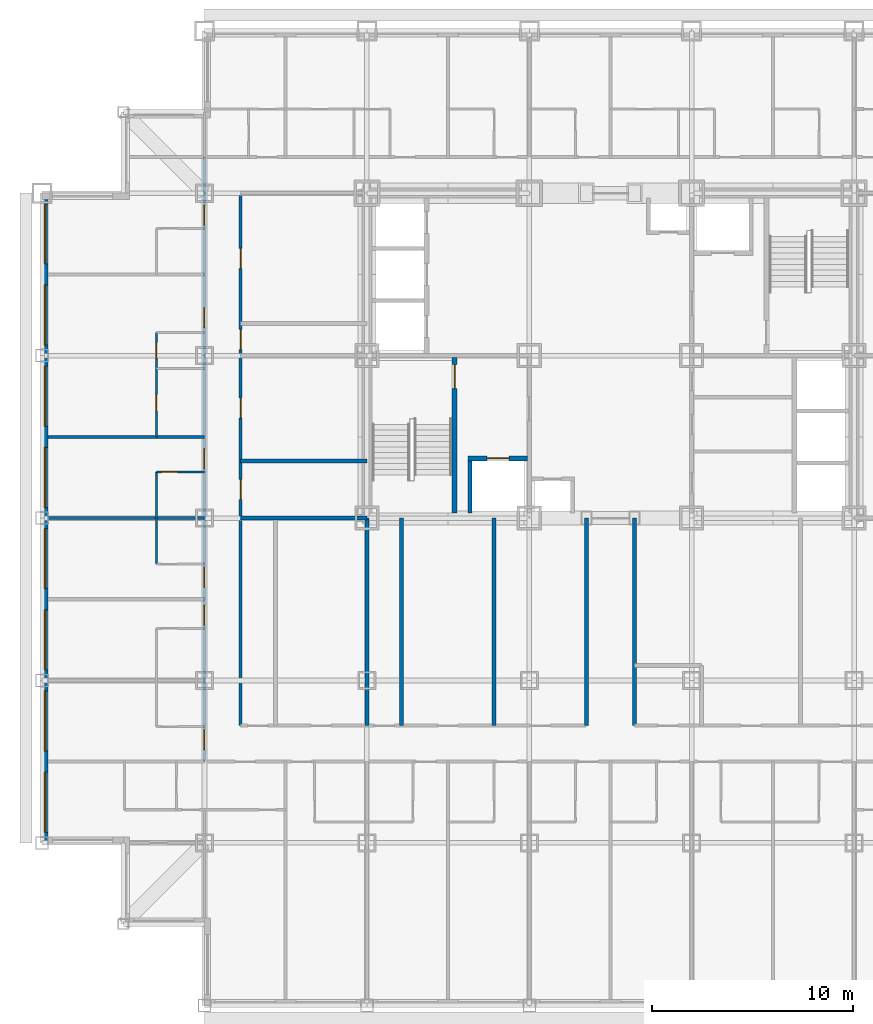
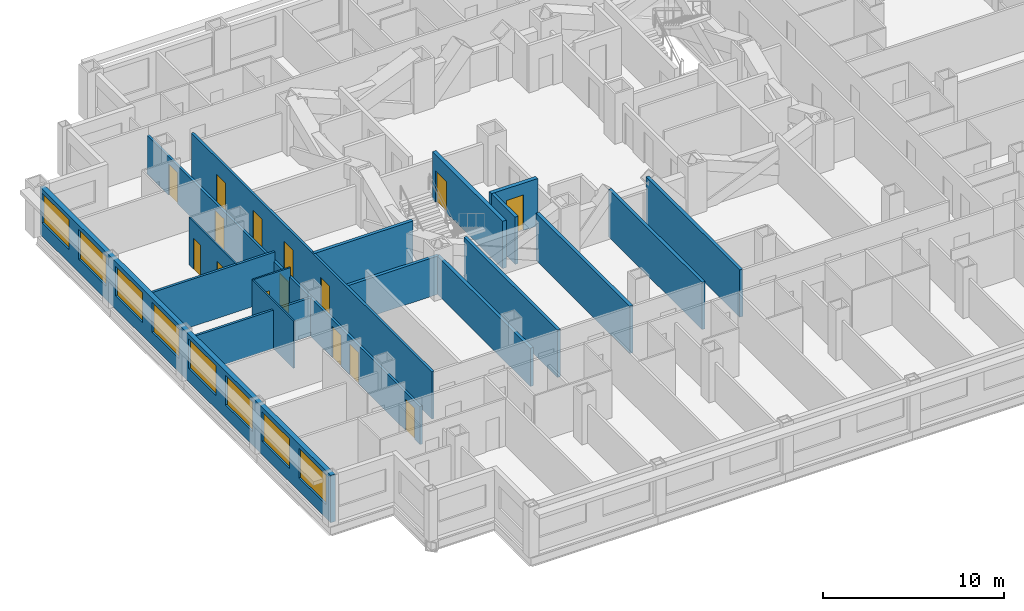
# One storey, part 5 of 12: 18 walls, 15 doors, 8 windows, 23 openings.
"""IFC4 building model written with IfcOpenShell, lengths in metres."""

from ifc_helpers import new_model, si_unit, direction, frame, frame_2d, origin, place, context, subcontext, project, spatial, rectangle, extrude, material, layer, layer_set, type_object, element, fill, save


model = new_model("IFC4")

# Units and contexts
model_context = context("Model", 3, precision=1e-05, world=origin(), true_north=direction((0.0, 1.0)))
body_context = subcontext(model_context, "Body", "Model", "MODEL_VIEW")
ifc_project = project(units=[si_unit("LENGTHUNIT", "METRE"), si_unit("AREAUNIT", "SQUARE_METRE"), si_unit("VOLUMEUNIT", "CUBIC_METRE"), si_unit("PLANEANGLEUNIT", "RADIAN"), si_unit("MASSUNIT", "GRAM", prefix="KILO")], contexts=[model_context])

# Site, building, storey
site_placement = place(None, origin())
site = spatial("IfcSite", under=ifc_project, at=site_placement, CompositionType="ELEMENT")
building_placement = place(site_placement, origin())
building = spatial("IfcBuilding", under=site, at=building_placement, Name="Kopane Lantern Tower", CompositionType="ELEMENT")
storey_placement = place(building_placement, frame((0.0, 0.0, 70.39990234375)))
storey = spatial("IfcBuildingStorey", under=building, at=storey_placement, Name="L17", CompositionType="ELEMENT", Elevation=70.39990234375)

# Wall
ifc_material_1 = material(Name="Moisture-resistant board on steel studs", Category="steel")
ifc_layer_1 = layer(ifc_material_1, 0.10009765625)
ifc_layer_set_1 = layer_set([ifc_layer_1], Name="BATHROOM WALL 100")
wall_type_1 = type_object("IfcWallType", Name="BATHROOM WALL 100", PredefinedType="PARTITIONING", material=ifc_layer_set_1)
wall_1_placement = place(storey_placement, frame((5.699951171875, 22.0, 0.0), z_axis=(0.0, 0.0, 1.0), x_axis=(0.0, 1.0, 0.0)))
element("IfcWall", 1, at=wall_1_placement, inside=storey, type_object=wall_type_1, Name="Bathroom Wall 100 L17", PredefinedType="PARTITIONING", context=body_context, shape_type="SweptSolid", body=[
    extrude(rectangle(XDim=4.60009765625, YDim=0.10009765625, at=frame_2d((2.300048828125, 0.0))), origin(), (0.0, 0.0, 1.0), 3.190185546875),
])

# Wall, opening, door
wall_2_placement = place(storey_placement, frame((8.10009765625, 26.60009765625, 0.0), z_axis=(0.0, 0.0, 1.0), x_axis=(-1.0, 0.0, 0.0)))
wall_2 = element("IfcWall", 2, at=wall_2_placement, inside=storey, type_object=wall_type_1, Name="Bathroom Wall 100 L17", PredefinedType="PARTITIONING", context=body_context, shape_type="SweptSolid", body=[
    extrude(rectangle(XDim=2.400146484375, YDim=0.10009765625, at=frame_2d((1.2001953125, 0.0))), origin(), (0.0, 0.0, 1.0), 3.190185546875),
])
opening_1_placement = place(wall_2_placement, frame((1.35009765625, 0.0, 0.0)))
opening_1 = element("IfcOpeningElement", 3, at=opening_1_placement, cuts=wall_2, Name="Opening L17-047", PredefinedType="OPENING", context=body_context, shape_type="SweptSolid", body=[
    extrude(rectangle(XDim=0.800048828125, YDim=2.10009765625, at=frame_2d((0.39990234375, 1.050048828125))), frame((0.0, 0.06005859375, 0.0), z_axis=(0.0, -1.0, 0.0), x_axis=(1.0, 0.0, 0.0)), (0.0, 0.0, 1.0), 0.1201171875),
])
ifc_material_2 = material(Name="Timber door set", Category="wood")
door_type_1 = type_object("IfcDoorType", Name="DOOR D2 800x2100", OperationType="SINGLE_SWING_LEFT", PredefinedType="DOOR", material=ifc_material_2)
door_1_placement = place(opening_1_placement, origin())
door_1 = element("IfcDoor", 4, at=door_1_placement, inside=storey, type_object=door_type_1, Name="Door L17-047", OperationType="SINGLE_SWING_RIGHT", OverallHeight=2.10009765625, OverallWidth=0.800048828125, PredefinedType="DOOR", context=body_context, shape_type="SweptSolid", body=[
    extrude(rectangle(XDim=0.800048828125, YDim=2.10009765625, at=frame_2d((0.39990234375, 1.050048828125))), frame((0.0, 0.02490234375, 0.0), z_axis=(0.0, -1.0, 0.0), x_axis=(1.0, 0.0, 0.0)), (0.0, 0.0, 1.0), 0.050048828125),
])
fill(opening_1, door_1)

# Wall, openings, doors
wall_3_placement = place(storey_placement, frame((5.699951171875, 28.35009765625, 0.0), z_axis=(0.0, 0.0, 1.0), x_axis=(0.0, 1.0, 0.0)))
wall_3 = element("IfcWall", 5, at=wall_3_placement, inside=storey, type_object=wall_type_1, Name="Bathroom Wall 100 L17", PredefinedType="PARTITIONING", context=body_context, shape_type="SweptSolid", body=[
    extrude(rectangle(XDim=5.199951171875, YDim=0.10009765625, at=frame_2d((2.60009765625, 0.0))), origin(), (0.0, 0.0, 1.0), 3.190185546875),
])
opening_2_placement = place(wall_3_placement, frame((1.300048828125, 0.0, 0.0)))
opening_2 = element("IfcOpeningElement", 6, at=opening_2_placement, cuts=wall_3, Name="Opening L17-049", PredefinedType="OPENING", context=body_context, shape_type="SweptSolid", body=[
    extrude(rectangle(XDim=0.800048828125, YDim=2.10009765625, at=frame_2d((0.39990234375, 1.050048828125))), frame((0.0, 0.06005859375, 0.0), z_axis=(0.0, -1.0, 0.0), x_axis=(1.0, 0.0, 0.0)), (0.0, 0.0, 1.0), 0.1201171875),
])
opening_3_placement = place(wall_3_placement, frame((3.89990234375, 0.0, 0.0)))
opening_3 = element("IfcOpeningElement", 7, at=opening_3_placement, cuts=wall_3, Name="Opening L17-050", PredefinedType="OPENING", context=body_context, shape_type="SweptSolid", body=[
    extrude(rectangle(XDim=0.800048828125, YDim=2.10009765625, at=frame_2d((0.39990234375, 1.050048828125))), frame((0.0, 0.06005859375, 0.0), z_axis=(0.0, -1.0, 0.0), x_axis=(1.0, 0.0, 0.0)), (0.0, 0.0, 1.0), 0.1201171875),
])
door_2_placement = place(opening_2_placement, origin())
door_2 = element("IfcDoor", 8, at=door_2_placement, inside=storey, type_object=door_type_1, Name="Door L17-049", OperationType="SINGLE_SWING_LEFT", OverallHeight=2.10009765625, OverallWidth=0.800048828125, PredefinedType="DOOR", context=body_context, shape_type="SweptSolid", body=[
    extrude(rectangle(XDim=0.800048828125, YDim=2.10009765625, at=frame_2d((0.39990234375, 1.050048828125))), frame((0.0, 0.02490234375, 0.0), z_axis=(0.0, -1.0, 0.0), x_axis=(1.0, 0.0, 0.0)), (0.0, 0.0, 1.0), 0.050048828125),
])
fill(opening_2, door_2)
door_3_placement = place(opening_3_placement, origin())
door_3 = element("IfcDoor", 9, at=door_3_placement, inside=storey, type_object=door_type_1, Name="Door L17-050", OperationType="SINGLE_SWING_LEFT", OverallHeight=2.10009765625, OverallWidth=0.800048828125, PredefinedType="DOOR", context=body_context, shape_type="SweptSolid", body=[
    extrude(rectangle(XDim=0.800048828125, YDim=2.10009765625, at=frame_2d((0.39990234375, 1.050048828125))), frame((0.0, 0.02490234375, 0.0), z_axis=(0.0, -1.0, 0.0), x_axis=(1.0, 0.0, 0.0)), (0.0, 0.0, 1.0), 0.050048828125),
])
fill(opening_3, door_3)

# Wall, opening, door
ifc_material_3 = material(Name="Gypsum shaft wall EI 120", Category="gypsum")
ifc_layer_2 = layer(ifc_material_3, 0.25)
ifc_layer_set_2 = layer_set([ifc_layer_2], Name="CORE SHAFT WALL 250 EI 120")
wall_type_2 = type_object("IfcWallType", Name="CORE SHAFT WALL 250 EI 120", PredefinedType="SOLIDWALL", material=ifc_layer_set_2)
wall_4_placement = place(storey_placement, frame((20.574951171875, 24.550048828125, 0.0), z_axis=(0.0, 0.0, 1.0), x_axis=(0.0, 1.0, 0.0)))
wall_4 = element("IfcWall", 10, at=wall_4_placement, inside=storey, type_object=wall_type_2, Name="Core shaft wall L17 XST1", PredefinedType="SOLIDWALL", context=body_context, shape_type="SweptSolid", body=[
    extrude(rectangle(XDim=7.75, YDim=0.25, at=frame_2d((3.875, 0.0))), origin(), (0.0, 0.0, 1.0), 3.190185546875),
])
opening_4_placement = place(wall_4_placement, frame((6.199951171875, 0.0, 0.0)))
opening_4 = element("IfcOpeningElement", 11, at=opening_4_placement, cuts=wall_4, Name="Opening 17.SD1", PredefinedType="OPENING", context=body_context, shape_type="SweptSolid", body=[
    extrude(rectangle(XDim=1.199951171875, YDim=2.10009765625, at=frame_2d((0.60009765625, 1.050048828125))), frame((0.0, 0.135009765625, 0.0), z_axis=(0.0, -1.0, 0.0), x_axis=(1.0, 0.0, 0.0)), (0.0, 0.0, 1.0), 0.27001953125),
])
ifc_material_4 = material(Name="Steel door set", Category="steel")
door_type_2 = type_object("IfcDoorType", Name="STAIR DOOR 1200x2100 FD60S", OperationType="SINGLE_SWING_LEFT", PredefinedType="DOOR", material=ifc_material_4)
door_4_placement = place(opening_4_placement, origin())
door_4 = element("IfcDoor", 12, at=door_4_placement, inside=storey, type_object=door_type_2, Name="Stair door ST1 L17", OperationType="SINGLE_SWING_LEFT", OverallHeight=2.10009765625, OverallWidth=1.199951171875, PredefinedType="DOOR", context=body_context, shape_type="SweptSolid", body=[
    extrude(rectangle(XDim=1.199951171875, YDim=2.10009765625, at=frame_2d((0.60009765625, 1.050048828125))), frame((0.0, 0.02490234375, 0.0), z_axis=(0.0, -1.0, 0.0), x_axis=(1.0, 0.0, 0.0)), (0.0, 0.0, 1.0), 0.050048828125),
])
fill(opening_4, door_4)

wall_5_placement = place(storey_placement, frame((21.25, 27.27490234375, 0.0), z_axis=(0.0, 0.0, 1.0), x_axis=(1.0, 0.0, 0.0)))
wall_5 = element("IfcWall", 13, at=wall_5_placement, inside=storey, type_object=wall_type_2, Name="Core shaft wall L17 YLF1", PredefinedType="SOLIDWALL", context=body_context, shape_type="SweptSolid", body=[
    extrude(rectangle(XDim=2.949951171875, YDim=0.25, at=frame_2d((1.47509765625, 0.0))), origin(), (0.0, 0.0, 1.0), 3.190185546875),
])
opening_5_placement = place(wall_5_placement, frame((0.949951171875, 0.0, 0.0)))
opening_5 = element("IfcOpeningElement", 14, at=opening_5_placement, cuts=wall_5, Name="Opening 17.LD-LF1", PredefinedType="OPENING", context=body_context, shape_type="SweptSolid", body=[
    extrude(rectangle(XDim=1.10009765625, YDim=2.39990234375, at=frame_2d((0.550048828125, 1.199951171875))), frame((0.0, 0.135009765625, 0.0), z_axis=(0.0, -1.0, 0.0), x_axis=(1.0, 0.0, 0.0)), (0.0, 0.0, 1.0), 0.27001953125),
])
ifc_material_5 = material(Name="Steel door set", Category="steel")
door_type_3 = type_object("IfcDoorType", Name="LIFT LANDING DOOR 1100x2400 FD60", OperationType="DOUBLE_DOOR_SLIDING", PredefinedType="DOOR", material=ifc_material_5)
door_5_placement = place(opening_5_placement, origin())
door_5 = element("IfcDoor", 15, at=door_5_placement, inside=storey, type_object=door_type_3, Name="Landing door LF1 L17", OperationType="DOUBLE_DOOR_SLIDING", OverallHeight=2.39990234375, OverallWidth=1.10009765625, PredefinedType="DOOR", context=body_context, shape_type="SweptSolid", body=[
    extrude(rectangle(XDim=1.10009765625, YDim=2.39990234375, at=frame_2d((0.550048828125, 1.199951171875))), frame((0.0, 0.02490234375, 0.0), z_axis=(0.0, -1.0, 0.0), x_axis=(1.0, 0.0, 0.0)), (0.0, 0.0, 1.0), 0.050048828125),
])
fill(opening_5, door_5)

# Wall, openings, doors
ifc_material_6 = material(Name="Gypsum board on steel studs", Category="steel")
ifc_layer_3 = layer(ifc_material_6, 0.14990234375)
ifc_layer_set_3 = layer_set([ifc_layer_3], Name="CORRIDOR WALL 150 EI 60")
wall_type_3 = type_object("IfcWallType", Name="CORRIDOR WALL 150 EI 60", PredefinedType="PARTITIONING", material=ifc_layer_set_3)
wall_6_placement = place(storey_placement, frame((8.10009765625, 12.14990234375, 0.0), z_axis=(0.0, 0.0, 1.0), x_axis=(0.0, 1.0, 0.0)))
wall_6 = element("IfcWall", 16, at=wall_6_placement, inside=storey, type_object=wall_type_3, Name="Corridor Wall 150 Ei 60 L17", PredefinedType="PARTITIONING", context=body_context, shape_type="SweptSolid", body=[
    extrude(rectangle(XDim=30.150146484375, YDim=0.14990234375, at=frame_2d((15.0751953125, 0.0))), origin(), (0.0, 0.0, 1.0), 2.577880859375),
])
opening_6_placement = place(wall_6_placement, frame((0.60009765625, 0.0, 0.0)))
opening_6 = element("IfcOpeningElement", 17, at=opening_6_placement, cuts=wall_6, Name="Opening L17-042", PredefinedType="OPENING", context=body_context, shape_type="SweptSolid", body=[
    extrude(rectangle(XDim=1.0, YDim=2.10009765625, at=frame_2d((0.5, 1.050048828125))), frame((0.0, 0.0849609375, 0.0), z_axis=(0.0, -1.0, 0.0), x_axis=(1.0, 0.0, 0.0)), (0.0, 0.0, 1.0), 0.169921875),
])
opening_7_placement = place(wall_6_placement, frame((6.800048828125, 0.0, 0.0)))
opening_7 = element("IfcOpeningElement", 18, at=opening_7_placement, cuts=wall_6, Name="Opening L17-044", PredefinedType="OPENING", context=body_context, shape_type="SweptSolid", body=[
    extrude(rectangle(XDim=1.0, YDim=2.10009765625, at=frame_2d((0.5, 1.050048828125))), frame((0.0, 0.0849609375, 0.0), z_axis=(0.0, -1.0, 0.0), x_axis=(1.0, 0.0, 0.0)), (0.0, 0.0, 1.0), 0.169921875),
])
opening_8_placement = place(wall_6_placement, frame((8.699951171875, 0.0, 0.0)))
opening_8 = element("IfcOpeningElement", 19, at=opening_8_placement, cuts=wall_6, Name="Opening L17-046", PredefinedType="OPENING", context=body_context, shape_type="SweptSolid", body=[
    extrude(rectangle(XDim=1.0, YDim=2.10009765625, at=frame_2d((0.5, 1.050048828125))), frame((0.0, 0.0849609375, 0.0), z_axis=(0.0, -1.0, 0.0), x_axis=(1.0, 0.0, 0.0)), (0.0, 0.0, 1.0), 0.169921875),
])
opening_9_placement = place(wall_6_placement, frame((14.60009765625, 0.0, 0.0)))
opening_9 = element("IfcOpeningElement", 20, at=opening_9_placement, cuts=wall_6, Name="Opening L17-048", PredefinedType="OPENING", context=body_context, shape_type="SweptSolid", body=[
    extrude(rectangle(XDim=1.0, YDim=2.10009765625, at=frame_2d((0.5, 1.050048828125))), frame((0.0, 0.0849609375, 0.0), z_axis=(0.0, -1.0, 0.0), x_axis=(1.0, 0.0, 0.0)), (0.0, 0.0, 1.0), 0.169921875),
])
opening_10_placement = place(wall_6_placement, frame((21.64990234375, 0.0, 0.0)))
opening_10 = element("IfcOpeningElement", 21, at=opening_10_placement, cuts=wall_6, Name="Opening L17-051", PredefinedType="OPENING", context=body_context, shape_type="SweptSolid", body=[
    extrude(rectangle(XDim=1.0, YDim=2.10009765625, at=frame_2d((0.5, 1.050048828125))), frame((0.0, 0.0849609375, 0.0), z_axis=(0.0, -1.0, 0.0), x_axis=(1.0, 0.0, 0.0)), (0.0, 0.0, 1.0), 0.169921875),
])
opening_11_placement = place(wall_6_placement, frame((26.75, 0.0, 0.0)))
opening_11 = element("IfcOpeningElement", 22, at=opening_11_placement, cuts=wall_6, Name="Opening L17-053", PredefinedType="OPENING", context=body_context, shape_type="SweptSolid", body=[
    extrude(rectangle(XDim=1.0, YDim=2.10009765625, at=frame_2d((0.5, 1.050048828125))), frame((0.0, 0.0849609375, 0.0), z_axis=(0.0, -1.0, 0.0), x_axis=(1.0, 0.0, 0.0)), (0.0, 0.0, 1.0), 0.169921875),
])
ifc_material_7 = material(Name="Steel door set", Category="steel")
door_type_4 = type_object("IfcDoorType", Name="DOOR D1 1000x2100 FD30S", OperationType="SINGLE_SWING_LEFT", PredefinedType="DOOR", material=ifc_material_7)
door_6_placement = place(opening_6_placement, origin())
door_6 = element("IfcDoor", 23, at=door_6_placement, inside=storey, type_object=door_type_4, Name="Door L17-042", OperationType="SINGLE_SWING_RIGHT", OverallHeight=2.10009765625, OverallWidth=1.0, PredefinedType="DOOR", context=body_context, shape_type="SweptSolid", body=[
    extrude(rectangle(XDim=1.0, YDim=2.10009765625, at=frame_2d((0.5, 1.050048828125))), frame((0.0, 0.02490234375, 0.0), z_axis=(0.0, -1.0, 0.0), x_axis=(1.0, 0.0, 0.0)), (0.0, 0.0, 1.0), 0.050048828125),
])
fill(opening_6, door_6)
door_7_placement = place(opening_7_placement, origin())
door_7 = element("IfcDoor", 24, at=door_7_placement, inside=storey, type_object=door_type_4, Name="Door L17-044", OperationType="SINGLE_SWING_LEFT", OverallHeight=2.10009765625, OverallWidth=1.0, PredefinedType="DOOR", context=body_context, shape_type="SweptSolid", body=[
    extrude(rectangle(XDim=1.0, YDim=2.10009765625, at=frame_2d((0.5, 1.050048828125))), frame((0.0, 0.02490234375, 0.0), z_axis=(0.0, -1.0, 0.0), x_axis=(1.0, 0.0, 0.0)), (0.0, 0.0, 1.0), 0.050048828125),
])
fill(opening_7, door_7)
door_8_placement = place(opening_8_placement, origin())
door_8 = element("IfcDoor", 25, at=door_8_placement, inside=storey, type_object=door_type_4, Name="Door L17-046", OperationType="SINGLE_SWING_RIGHT", OverallHeight=2.10009765625, OverallWidth=1.0, PredefinedType="DOOR", context=body_context, shape_type="SweptSolid", body=[
    extrude(rectangle(XDim=1.0, YDim=2.10009765625, at=frame_2d((0.5, 1.050048828125))), frame((0.0, 0.02490234375, 0.0), z_axis=(0.0, -1.0, 0.0), x_axis=(1.0, 0.0, 0.0)), (0.0, 0.0, 1.0), 0.050048828125),
])
fill(opening_8, door_8)
door_9_placement = place(opening_9_placement, origin())
door_9 = element("IfcDoor", 26, at=door_9_placement, inside=storey, type_object=door_type_4, Name="Door L17-048", OperationType="SINGLE_SWING_LEFT", OverallHeight=2.10009765625, OverallWidth=1.0, PredefinedType="DOOR", context=body_context, shape_type="SweptSolid", body=[
    extrude(rectangle(XDim=1.0, YDim=2.10009765625, at=frame_2d((0.5, 1.050048828125))), frame((0.0, 0.02490234375, 0.0), z_axis=(0.0, -1.0, 0.0), x_axis=(1.0, 0.0, 0.0)), (0.0, 0.0, 1.0), 0.050048828125),
])
fill(opening_9, door_9)
door_10_placement = place(opening_10_placement, origin())
door_10 = element("IfcDoor", 27, at=door_10_placement, inside=storey, type_object=door_type_4, Name="Door L17-051", OperationType="SINGLE_SWING_LEFT", OverallHeight=2.10009765625, OverallWidth=1.0, PredefinedType="DOOR", context=body_context, shape_type="SweptSolid", body=[
    extrude(rectangle(XDim=1.0, YDim=2.10009765625, at=frame_2d((0.5, 1.050048828125))), frame((0.0, 0.02490234375, 0.0), z_axis=(0.0, -1.0, 0.0), x_axis=(1.0, 0.0, 0.0)), (0.0, 0.0, 1.0), 0.050048828125),
])
fill(opening_10, door_10)
door_11_placement = place(opening_11_placement, origin())
door_11 = element("IfcDoor", 28, at=door_11_placement, inside=storey, type_object=door_type_4, Name="Door L17-053", OperationType="SINGLE_SWING_LEFT", OverallHeight=2.10009765625, OverallWidth=1.0, PredefinedType="DOOR", context=body_context, shape_type="SweptSolid", body=[
    extrude(rectangle(XDim=1.0, YDim=2.10009765625, at=frame_2d((0.5, 1.050048828125))), frame((0.0, 0.02490234375, 0.0), z_axis=(0.0, -1.0, 0.0), x_axis=(1.0, 0.0, 0.0)), (0.0, 0.0, 1.0), 0.050048828125),
])
fill(opening_11, door_11)

wall_7_placement = place(storey_placement, frame((9.89990234375, 40.5, 0.0), z_axis=(0.0, 0.0, 1.0), x_axis=(0.0, -1.0, 0.0)))
wall_7 = element("IfcWall", 29, at=wall_7_placement, inside=storey, type_object=wall_type_3, Name="Corridor Wall 150 Ei 60 L17", PredefinedType="PARTITIONING", context=body_context, shape_type="SweptSolid", body=[
    extrude(rectangle(XDim=26.550048828125, YDim=0.14990234375, at=frame_2d((13.27490234375, 0.0))), origin(), (0.0, 0.0, 1.0), 3.190185546875),
])
opening_12_placement = place(wall_7_placement, frame((14.271484375, 0.0, 0.0)))
opening_12 = element("IfcOpeningElement", 30, at=opening_12_placement, cuts=wall_7, Name="Opening L17-001", PredefinedType="OPENING", context=body_context, shape_type="SweptSolid", body=[
    extrude(rectangle(XDim=1.0, YDim=2.10009765625, at=frame_2d((0.5, 1.050048828125))), frame((0.0, 0.0849609375, 0.0), z_axis=(0.0, -1.0, 0.0), x_axis=(1.0, 0.0, 0.0)), (0.0, 0.0, 1.0), 0.169921875),
])
opening_13_placement = place(wall_7_placement, frame((10.221435546875, 0.0, 0.0)))
opening_13 = element("IfcOpeningElement", 31, at=opening_13_placement, cuts=wall_7, Name="Opening L17-002", PredefinedType="OPENING", context=body_context, shape_type="SweptSolid", body=[
    extrude(rectangle(XDim=1.0, YDim=2.10009765625, at=frame_2d((0.5, 1.050048828125))), frame((0.0, 0.0849609375, 0.0), z_axis=(0.0, -1.0, 0.0), x_axis=(1.0, 0.0, 0.0)), (0.0, 0.0, 1.0), 0.169921875),
])
opening_14_placement = place(wall_7_placement, frame((6.800048828125, 0.0, 0.0)))
opening_14 = element("IfcOpeningElement", 32, at=opening_14_placement, cuts=wall_7, Name="Opening L17-003", PredefinedType="OPENING", context=body_context, shape_type="SweptSolid", body=[
    extrude(rectangle(XDim=1.0, YDim=2.10009765625, at=frame_2d((0.5, 1.050048828125))), frame((0.0, 0.0849609375, 0.0), z_axis=(0.0, -1.0, 0.0), x_axis=(1.0, 0.0, 0.0)), (0.0, 0.0, 1.0), 0.169921875),
])
opening_15_placement = place(wall_7_placement, frame((2.75, 0.0, 0.0)))
opening_15 = element("IfcOpeningElement", 33, at=opening_15_placement, cuts=wall_7, Name="Opening L17-004", PredefinedType="OPENING", context=body_context, shape_type="SweptSolid", body=[
    extrude(rectangle(XDim=1.0, YDim=2.10009765625, at=frame_2d((0.5, 1.050048828125))), frame((0.0, 0.0849609375, 0.0), z_axis=(0.0, -1.0, 0.0), x_axis=(1.0, 0.0, 0.0)), (0.0, 0.0, 1.0), 0.169921875),
])
ifc_material_8 = material(Name="Steel door set", Category="steel")
door_type_5 = type_object("IfcDoorType", Name="DOOR D5 1000x2100 FD60", OperationType="SINGLE_SWING_LEFT", PredefinedType="DOOR", material=ifc_material_8)
door_12_placement = place(opening_12_placement, origin())
door_12 = element("IfcDoor", 34, at=door_12_placement, inside=storey, type_object=door_type_5, Name="Door L17-001", OperationType="SINGLE_SWING_RIGHT", OverallHeight=2.10009765625, OverallWidth=1.0, PredefinedType="DOOR", context=body_context, shape_type="SweptSolid", body=[
    extrude(rectangle(XDim=1.0, YDim=2.10009765625, at=frame_2d((0.5, 1.050048828125))), frame((0.0, 0.02490234375, 0.0), z_axis=(0.0, -1.0, 0.0), x_axis=(1.0, 0.0, 0.0)), (0.0, 0.0, 1.0), 0.050048828125),
])
fill(opening_12, door_12)
door_13_placement = place(opening_13_placement, origin())
door_13 = element("IfcDoor", 35, at=door_13_placement, inside=storey, type_object=door_type_5, Name="Door L17-002", OperationType="SINGLE_SWING_LEFT", OverallHeight=2.10009765625, OverallWidth=1.0, PredefinedType="DOOR", context=body_context, shape_type="SweptSolid", body=[
    extrude(rectangle(XDim=1.0, YDim=2.10009765625, at=frame_2d((0.5, 1.050048828125))), frame((0.0, 0.02490234375, 0.0), z_axis=(0.0, -1.0, 0.0), x_axis=(1.0, 0.0, 0.0)), (0.0, 0.0, 1.0), 0.050048828125),
])
fill(opening_13, door_13)
door_14_placement = place(opening_14_placement, origin())
door_14 = element("IfcDoor", 36, at=door_14_placement, inside=storey, type_object=door_type_5, Name="Door L17-003", OperationType="SINGLE_SWING_RIGHT", OverallHeight=2.10009765625, OverallWidth=1.0, PredefinedType="DOOR", context=body_context, shape_type="SweptSolid", body=[
    extrude(rectangle(XDim=1.0, YDim=2.10009765625, at=frame_2d((0.5, 1.050048828125))), frame((0.0, 0.02490234375, 0.0), z_axis=(0.0, -1.0, 0.0), x_axis=(1.0, 0.0, 0.0)), (0.0, 0.0, 1.0), 0.050048828125),
])
fill(opening_14, door_14)
door_15_placement = place(opening_15_placement, origin())
door_15 = element("IfcDoor", 37, at=door_15_placement, inside=storey, type_object=door_type_5, Name="Door L17-004", OperationType="SINGLE_SWING_LEFT", OverallHeight=2.10009765625, OverallWidth=1.0, PredefinedType="DOOR", context=body_context, shape_type="SweptSolid", body=[
    extrude(rectangle(XDim=1.0, YDim=2.10009765625, at=frame_2d((0.5, 1.050048828125))), frame((0.0, 0.02490234375, 0.0), z_axis=(0.0, -1.0, 0.0), x_axis=(1.0, 0.0, 0.0)), (0.0, 0.0, 1.0), 0.050048828125),
])
fill(opening_15, door_15)

# Walls
ifc_material_9 = material(Name="Gypsum board on steel studs", Category="steel")
ifc_layer_4 = layer(ifc_material_9, 0.14990234375)
ifc_layer_set_4 = layer_set([ifc_layer_4], Name="DEMISING WALL 150 EI 60")
wall_type_4 = type_object("IfcWallType", Name="DEMISING WALL 150 EI 60", PredefinedType="PARTITIONING", material=ifc_layer_set_4)
wall_8_placement = place(storey_placement, frame((8.10009765625, 24.300048828125, 0.0), z_axis=(0.0, 0.0, 1.0), x_axis=(-1.0, 0.0, 0.0)))
element("IfcWall", 38, at=wall_8_placement, inside=storey, type_object=wall_type_4, Name="Demising Wall 150 Ei 60 L17", PredefinedType="PARTITIONING", context=body_context, shape_type="SweptSolid", body=[
    extrude(rectangle(XDim=7.800048828125, YDim=0.14990234375, at=frame_2d((3.89990234375, 0.0))), origin(), (0.0, 0.0, 1.0), 2.577880859375),
])
wall_9_placement = place(storey_placement, frame((8.10009765625, 28.35009765625, 0.0), z_axis=(0.0, 0.0, 1.0), x_axis=(-1.0, 0.0, 0.0)))
element("IfcWall", 39, at=wall_9_placement, inside=storey, type_object=wall_type_4, Name="Demising Wall 150 Ei 60 L17", PredefinedType="PARTITIONING", context=body_context, shape_type="SweptSolid", body=[
    extrude(rectangle(XDim=7.800048828125, YDim=0.14990234375, at=frame_2d((3.89990234375, 0.0))), origin(), (0.0, 0.0, 1.0), 3.190185546875),
])

# Wall, openings, windows
ifc_material_10 = material(Name="Terracotta rainscreen on light steel framing", Category="masonry")
ifc_layer_5 = layer(ifc_material_10, 0.300048828125)
ifc_layer_set_5 = layer_set([ifc_layer_5], Name="EXTERNAL WALL EW1 300 TERRACOTTA")
wall_type_5 = type_object("IfcWallType", Name="EXTERNAL WALL EW1 300 TERRACOTTA", PredefinedType="SOLIDWALL", material=ifc_layer_set_5)
wall_10_placement = place(storey_placement, frame((0.14990234375, 40.199951171875, 0.0), z_axis=(0.0, 0.0, 1.0), x_axis=(0.0, -1.0, 0.0)))
wall_10 = element("IfcWall", 40, at=wall_10_placement, inside=storey, type_object=wall_type_5, Name="External wall W L17", PredefinedType="SOLIDWALL", context=body_context, shape_type="SweptSolid", body=[
    extrude(rectangle(XDim=32.099853515625, YDim=0.300048828125, at=frame_2d((16.0498046875, 0.0))), origin(), (0.0, 0.0, 1.0), 3.190185546875),
])
opening_16_placement = place(wall_10_placement, frame((0.22509765625, 0.0, 0.89990234375)))
opening_16 = element("IfcOpeningElement", 41, at=opening_16_placement, cuts=wall_10, Name="Opening WR300200", PredefinedType="OPENING", context=body_context, shape_type="SweptSolid", body=[
    extrude(rectangle(XDim=3.0, YDim=2.0, at=frame_2d((1.5, 1.0))), frame((0.0, 0.159912109375, 0.0), z_axis=(0.0, -1.0, 0.0), x_axis=(1.0, 0.0, 0.0)), (0.0, 0.0, 1.0), 0.320068359375),
])
opening_17_placement = place(wall_10_placement, frame((4.27490234375, 0.0, 0.89990234375)))
opening_17 = element("IfcOpeningElement", 42, at=opening_17_placement, cuts=wall_10, Name="Opening WR300200", PredefinedType="OPENING", context=body_context, shape_type="SweptSolid", body=[
    extrude(rectangle(XDim=3.0, YDim=2.0, at=frame_2d((1.5, 1.0))), frame((0.0, 0.159912109375, 0.0), z_axis=(0.0, -1.0, 0.0), x_axis=(1.0, 0.0, 0.0)), (0.0, 0.0, 1.0), 0.320068359375),
])
opening_18_placement = place(wall_10_placement, frame((8.324951171875, 0.0, 0.89990234375)))
opening_18 = element("IfcOpeningElement", 43, at=opening_18_placement, cuts=wall_10, Name="Opening WR300200", PredefinedType="OPENING", context=body_context, shape_type="SweptSolid", body=[
    extrude(rectangle(XDim=3.0, YDim=2.0, at=frame_2d((1.5, 1.0))), frame((0.0, 0.159912109375, 0.0), z_axis=(0.0, -1.0, 0.0), x_axis=(1.0, 0.0, 0.0)), (0.0, 0.0, 1.0), 0.320068359375),
])
opening_19_placement = place(wall_10_placement, frame((12.375, 0.0, 0.89990234375)))
opening_19 = element("IfcOpeningElement", 44, at=opening_19_placement, cuts=wall_10, Name="Opening WR300200", PredefinedType="OPENING", context=body_context, shape_type="SweptSolid", body=[
    extrude(rectangle(XDim=3.0, YDim=2.0, at=frame_2d((1.5, 1.0))), frame((0.0, 0.159912109375, 0.0), z_axis=(0.0, -1.0, 0.0), x_axis=(1.0, 0.0, 0.0)), (0.0, 0.0, 1.0), 0.320068359375),
])
opening_20_placement = place(wall_10_placement, frame((16.425048828125, 0.0, 0.89990234375)))
opening_20 = element("IfcOpeningElement", 45, at=opening_20_placement, cuts=wall_10, Name="Opening WR300200", PredefinedType="OPENING", context=body_context, shape_type="SweptSolid", body=[
    extrude(rectangle(XDim=3.0, YDim=2.0, at=frame_2d((1.5, 1.0))), frame((0.0, 0.159912109375, 0.0), z_axis=(0.0, -1.0, 0.0), x_axis=(1.0, 0.0, 0.0)), (0.0, 0.0, 1.0), 0.320068359375),
])
opening_21_placement = place(wall_10_placement, frame((20.47509765625, 0.0, 0.89990234375)))
opening_21 = element("IfcOpeningElement", 46, at=opening_21_placement, cuts=wall_10, Name="Opening WR300200", PredefinedType="OPENING", context=body_context, shape_type="SweptSolid", body=[
    extrude(rectangle(XDim=3.0, YDim=2.0, at=frame_2d((1.5, 1.0))), frame((0.0, 0.159912109375, 0.0), z_axis=(0.0, -1.0, 0.0), x_axis=(1.0, 0.0, 0.0)), (0.0, 0.0, 1.0), 0.320068359375),
])
opening_22_placement = place(wall_10_placement, frame((24.52490234375, 0.0, 0.89990234375)))
opening_22 = element("IfcOpeningElement", 47, at=opening_22_placement, cuts=wall_10, Name="Opening WR300200", PredefinedType="OPENING", context=body_context, shape_type="SweptSolid", body=[
    extrude(rectangle(XDim=3.0, YDim=2.0, at=frame_2d((1.5, 1.0))), frame((0.0, 0.159912109375, 0.0), z_axis=(0.0, -1.0, 0.0), x_axis=(1.0, 0.0, 0.0)), (0.0, 0.0, 1.0), 0.320068359375),
])
opening_23_placement = place(wall_10_placement, frame((28.574951171875, 0.0, 0.89990234375)))
opening_23 = element("IfcOpeningElement", 48, at=opening_23_placement, cuts=wall_10, Name="Opening WR300200", PredefinedType="OPENING", context=body_context, shape_type="SweptSolid", body=[
    extrude(rectangle(XDim=3.0, YDim=2.0, at=frame_2d((1.5, 1.0))), frame((0.0, 0.159912109375, 0.0), z_axis=(0.0, -1.0, 0.0), x_axis=(1.0, 0.0, 0.0)), (0.0, 0.0, 1.0), 0.320068359375),
])
ifc_material_11 = material(Name="Aluminium and clear glass", Category="aluminium")
window_type = type_object("IfcWindowType", Name="RIBBON WINDOW WR300200 3000x2000", PartitioningType="SINGLE_PANEL", PredefinedType="WINDOW", material=ifc_material_11)
window_1_placement = place(opening_16_placement, origin())
window_1 = element("IfcWindow", 49, at=window_1_placement, inside=storey, type_object=window_type, Name="Window W L17", OverallHeight=2.0, OverallWidth=3.0, PartitioningType="SINGLE_PANEL", PredefinedType="WINDOW", context=body_context, shape_type="SweptSolid", body=[
    extrude(rectangle(XDim=3.0, YDim=2.0, at=frame_2d((1.5, 1.0))), frame((0.0, 0.030029296875, 0.0), z_axis=(0.0, -1.0, 0.0), x_axis=(1.0, 0.0, 0.0)), (0.0, 0.0, 1.0), 0.06005859375),
])
fill(opening_16, window_1)
window_2_placement = place(opening_17_placement, origin())
window_2 = element("IfcWindow", 50, at=window_2_placement, inside=storey, type_object=window_type, Name="Window W L17", OverallHeight=2.0, OverallWidth=3.0, PartitioningType="SINGLE_PANEL", PredefinedType="WINDOW", context=body_context, shape_type="SweptSolid", body=[
    extrude(rectangle(XDim=3.0, YDim=2.0, at=frame_2d((1.5, 1.0))), frame((0.0, 0.030029296875, 0.0), z_axis=(0.0, -1.0, 0.0), x_axis=(1.0, 0.0, 0.0)), (0.0, 0.0, 1.0), 0.06005859375),
])
fill(opening_17, window_2)
window_3_placement = place(opening_18_placement, origin())
window_3 = element("IfcWindow", 51, at=window_3_placement, inside=storey, type_object=window_type, Name="Window W L17", OverallHeight=2.0, OverallWidth=3.0, PartitioningType="SINGLE_PANEL", PredefinedType="WINDOW", context=body_context, shape_type="SweptSolid", body=[
    extrude(rectangle(XDim=3.0, YDim=2.0, at=frame_2d((1.5, 1.0))), frame((0.0, 0.030029296875, 0.0), z_axis=(0.0, -1.0, 0.0), x_axis=(1.0, 0.0, 0.0)), (0.0, 0.0, 1.0), 0.06005859375),
])
fill(opening_18, window_3)
window_4_placement = place(opening_19_placement, origin())
window_4 = element("IfcWindow", 52, at=window_4_placement, inside=storey, type_object=window_type, Name="Window W L17", OverallHeight=2.0, OverallWidth=3.0, PartitioningType="SINGLE_PANEL", PredefinedType="WINDOW", context=body_context, shape_type="SweptSolid", body=[
    extrude(rectangle(XDim=3.0, YDim=2.0, at=frame_2d((1.5, 1.0))), frame((0.0, 0.030029296875, 0.0), z_axis=(0.0, -1.0, 0.0), x_axis=(1.0, 0.0, 0.0)), (0.0, 0.0, 1.0), 0.06005859375),
])
fill(opening_19, window_4)
window_5_placement = place(opening_20_placement, origin())
window_5 = element("IfcWindow", 53, at=window_5_placement, inside=storey, type_object=window_type, Name="Window W L17", OverallHeight=2.0, OverallWidth=3.0, PartitioningType="SINGLE_PANEL", PredefinedType="WINDOW", context=body_context, shape_type="SweptSolid", body=[
    extrude(rectangle(XDim=3.0, YDim=2.0, at=frame_2d((1.5, 1.0))), frame((0.0, 0.030029296875, 0.0), z_axis=(0.0, -1.0, 0.0), x_axis=(1.0, 0.0, 0.0)), (0.0, 0.0, 1.0), 0.06005859375),
])
fill(opening_20, window_5)
window_6_placement = place(opening_21_placement, origin())
window_6 = element("IfcWindow", 54, at=window_6_placement, inside=storey, type_object=window_type, Name="Window W L17", OverallHeight=2.0, OverallWidth=3.0, PartitioningType="SINGLE_PANEL", PredefinedType="WINDOW", context=body_context, shape_type="SweptSolid", body=[
    extrude(rectangle(XDim=3.0, YDim=2.0, at=frame_2d((1.5, 1.0))), frame((0.0, 0.030029296875, 0.0), z_axis=(0.0, -1.0, 0.0), x_axis=(1.0, 0.0, 0.0)), (0.0, 0.0, 1.0), 0.06005859375),
])
fill(opening_21, window_6)
window_7_placement = place(opening_22_placement, origin())
window_7 = element("IfcWindow", 55, at=window_7_placement, inside=storey, type_object=window_type, Name="Window W L17", OverallHeight=2.0, OverallWidth=3.0, PartitioningType="SINGLE_PANEL", PredefinedType="WINDOW", context=body_context, shape_type="SweptSolid", body=[
    extrude(rectangle(XDim=3.0, YDim=2.0, at=frame_2d((1.5, 1.0))), frame((0.0, 0.030029296875, 0.0), z_axis=(0.0, -1.0, 0.0), x_axis=(1.0, 0.0, 0.0)), (0.0, 0.0, 1.0), 0.06005859375),
])
fill(opening_22, window_7)
window_8_placement = place(opening_23_placement, origin())
window_8 = element("IfcWindow", 56, at=window_8_placement, inside=storey, type_object=window_type, Name="Window W L17", OverallHeight=2.0, OverallWidth=3.0, PartitioningType="SINGLE_PANEL", PredefinedType="WINDOW", context=body_context, shape_type="SweptSolid", body=[
    extrude(rectangle(XDim=3.0, YDim=2.0, at=frame_2d((1.5, 1.0))), frame((0.0, 0.030029296875, 0.0), z_axis=(0.0, -1.0, 0.0), x_axis=(1.0, 0.0, 0.0)), (0.0, 0.0, 1.0), 0.06005859375),
])
fill(opening_23, window_8)

# Walls
ifc_material_12 = material(Name="Concrete masonry", Category="masonry")
ifc_layer_6 = layer(ifc_material_12, 0.199951171875)
ifc_layer_set_6 = layer_set([ifc_layer_6], Name="PLANT ROOM WALL 200 EI 120")
wall_type_6 = type_object("IfcWallType", Name="PLANT ROOM WALL 200 EI 120", PredefinedType="SOLIDWALL", material=ifc_layer_set_6)
wall_11_placement = place(storey_placement, frame((9.89990234375, 27.156982421875, 0.0), z_axis=(0.0, 0.0, 1.0), x_axis=(1.0, 0.0, 0.0)))
element("IfcWall", 57, at=wall_11_placement, inside=storey, type_object=wall_type_6, Name="Plant Room Wall 200 Ei 120 L17", PredefinedType="SOLIDWALL", context=body_context, shape_type="SweptSolid", body=[
    extrude(rectangle(XDim=6.300048828125, YDim=0.199951171875, at=frame_2d((3.14990234375, 0.0))), origin(), (0.0, 0.0, 1.0), 3.190185546875),
])
wall_12_placement = place(storey_placement, frame((16.199951171875, 13.949951171875, 0.0), z_axis=(0.0, 0.0, 1.0), x_axis=(0.0, 1.0, 0.0)))
element("IfcWall", 58, at=wall_12_placement, inside=storey, type_object=wall_type_6, Name="Plant Room Wall 200 Ei 120 L17", PredefinedType="SOLIDWALL", context=body_context, shape_type="SweptSolid", body=[
    extrude(rectangle(XDim=10.35009765625, YDim=0.199951171875, at=frame_2d((5.175048828125, 0.0))), origin(), (0.0, 0.0, 1.0), 2.577880859375),
])
for number, where, z_axis, x_axis, name in (
    (59, (17.939208984375, 13.949951171875, 0.0), (0.0, 0.0, 1.0), (0.0, 1.0, 0.0), "Plant Room Wall 200 Ei 120 L17"),
    (60, (22.544677734375, 13.949951171875, 0.0), (0.0, 0.0, 1.0), (0.0, 1.0, 0.0), "Plant Room Wall 200 Ei 120 L17"),
    (61, (27.14990234375, 13.949951171875, 0.0), (0.0, 0.0, 1.0), (0.0, 1.0, 0.0), "Plant Room Wall 200 Ei 120 L17"),
    (62, (29.550048828125, 13.949951171875, 0.0), (0.0, 0.0, 1.0), (0.0, 1.0, 0.0), "Plant Room Wall 200 Ei 120 L17"),
):
    element("IfcWall", number, at=place(storey_placement, frame(where, z_axis=z_axis, x_axis=x_axis)), inside=storey, type_object=wall_type_6, Name=name, PredefinedType="SOLIDWALL", context=body_context, shape_type="SweptSolid", body=[
        extrude(rectangle(XDim=10.35009765625, YDim=0.199951171875, at=frame_2d((5.175048828125, 0.0))), origin(), (0.0, 0.0, 1.0), 3.190185546875),
    ])
wall_13_placement = place(storey_placement, frame((9.89990234375, 24.300048828125, 0.0), z_axis=(0.0, 0.0, 1.0), x_axis=(1.0, 0.0, 0.0)))
element("IfcWall", 63, at=wall_13_placement, inside=storey, type_object=wall_type_6, Name="Plant Room Wall 200 Ei 120 L17", PredefinedType="SOLIDWALL", context=body_context, shape_type="SweptSolid", body=[
    extrude(rectangle(XDim=6.300048828125, YDim=0.199951171875, at=frame_2d((3.14990234375, 0.0))), origin(), (0.0, 0.0, 1.0), 2.577880859375),
])
ifc_material_13 = material(Name="Gypsum shaft wall EI 120", Category="gypsum")
ifc_layer_7 = layer(ifc_material_13, 0.199951171875)
ifc_layer_set_7 = layer_set([ifc_layer_7], Name="SHAFT WALL 200 EI 120")
wall_type_7 = type_object("IfcWallType", Name="SHAFT WALL 200 EI 120", PredefinedType="SOLIDWALL", material=ifc_layer_set_7)
wall_14_placement = place(storey_placement, frame((21.35009765625, 24.550048828125, 0.0), z_axis=(0.0, 0.0, 1.0), x_axis=(0.0, 1.0, 0.0)))
element("IfcWall", 64, at=wall_14_placement, inside=storey, type_object=wall_type_7, Name="Core shaft wall L17 XLF1", PredefinedType="SOLIDWALL", context=body_context, shape_type="SweptSolid", body=[
    extrude(rectangle(XDim=2.599853515625, YDim=0.199951171875, at=frame_2d((1.2998046875, 0.0))), origin(), (0.0, 0.0, 1.0), 3.190185546875),
])

save(model, "model.ifc")
